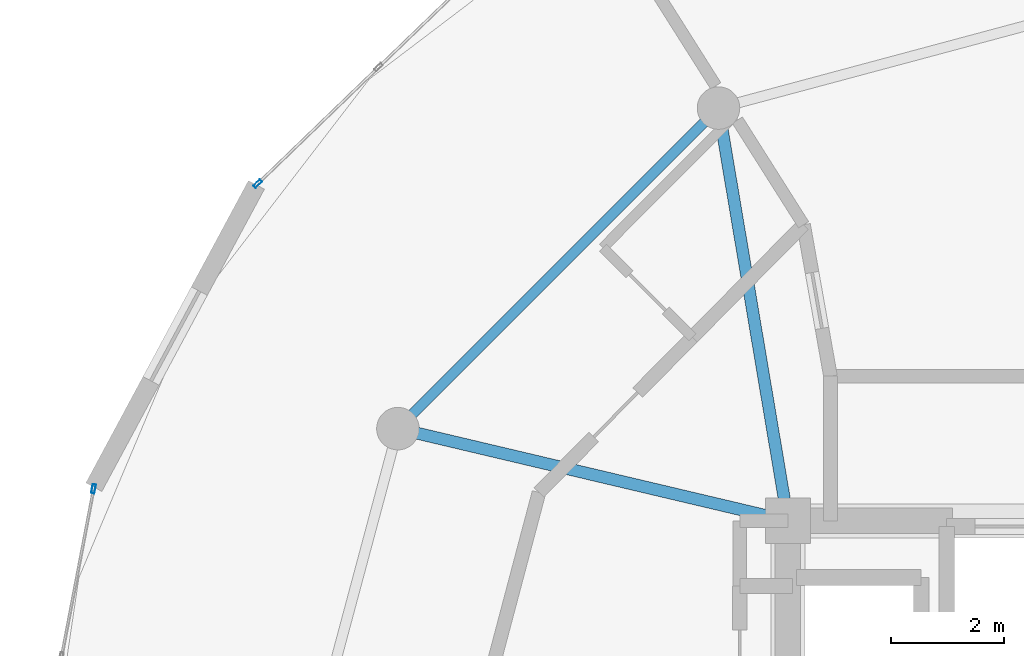
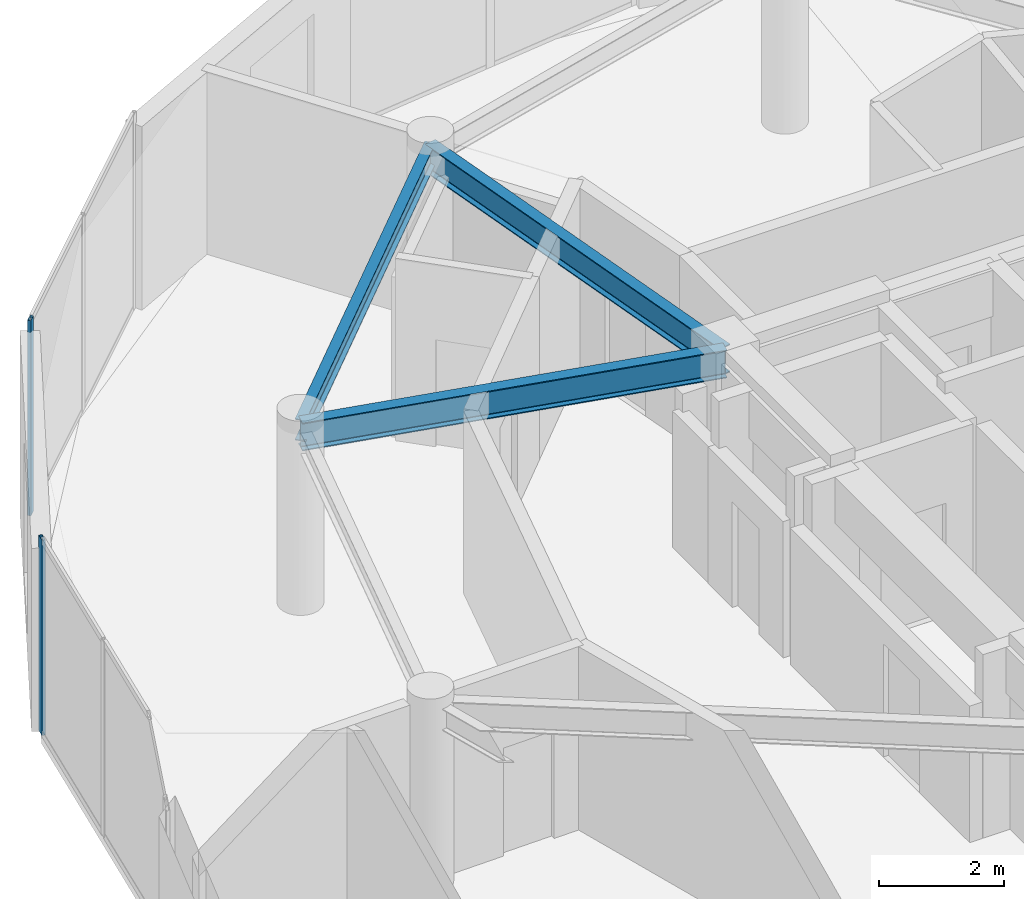
# One storey, part 9 of 23: 3 beams, 2 members, 2 elements without a shape of their own.
"""IFC4 building model written with IfcOpenShell, lengths in metres."""

from ifc_helpers import new_model, si_unit, direction, frame, origin, origin_2d, place, context, subcontext, project, spatial, hollow_rectangle, i_section, extrude, source, transform, mapped, material, layer, layer_set, material_profile, profile_set, type_object, element, aggregate, save


model = new_model("IFC4")

# Units and contexts
model_context = context("Model", 3, precision=1e-05, world=origin(), true_north=direction((0.0, 1.0)))
body_context = subcontext(model_context, "Body", "Model", "MODEL_VIEW")
ifc_project = project(units=[si_unit("LENGTHUNIT", "METRE"), si_unit("AREAUNIT", "SQUARE_METRE"), si_unit("VOLUMEUNIT", "CUBIC_METRE"), si_unit("PLANEANGLEUNIT", "RADIAN"), si_unit("MASSUNIT", "GRAM", prefix="KILO")], contexts=[model_context])

# Site, building, storey
site_placement = place(None, origin())
site = spatial("IfcSite", under=ifc_project, at=site_placement, CompositionType="ELEMENT")
building_placement = place(site_placement, origin())
building = spatial("IfcBuilding", under=site, at=building_placement, Name="Solvirekh Grand Hotel", CompositionType="ELEMENT")
storey_placement = place(building_placement, frame((0.0, 0.0, 285.800048828125)))
storey = spatial("IfcBuildingStorey", under=building, at=storey_placement, Name="L74", CompositionType="ELEMENT", Elevation=285.800048828125)

# Beams
ifc_material_1 = material(Name="Steel S355", Category="steel")
ifc_material_profile_1 = material_profile(ifc_material_1, i_section(OverallWidth=0.2119140625, OverallDepth=0.5439453125, WebThickness=0.011962890625, FlangeThickness=0.01904296875, FilletRadius=0.013916015625, at=origin_2d()), Name="W530X123")
ifc_profile_set_1 = profile_set([ifc_material_profile_1], Name="Steel S355")
beam_type_1 = type_object("IfcBeamType", Name="Beam_Radial_W530H", PredefinedType="BEAM", material=ifc_profile_set_1)
beam_1_placement = place(storey_placement, frame((-6.5, 6.10009765625, 3.2978515625), z_axis=(-0.165954049106, 0.986133486697, 0.0), x_axis=(-0.986133486697, -0.165954049106, 0.0)))
element("IfcBeam", 1, at=beam_1_placement, inside=storey, type_object=beam_type_1, Name="L74 radial floor beam R05", PredefinedType="BEAM", context=body_context, shape_type="SweptSolid", body=[
    extrude(i_section(OverallWidth=0.2119140625, OverallDepth=0.5439453125, WebThickness=0.011962890625, FlangeThickness=0.01904296875, FilletRadius=0.013916015625, at=origin_2d()), origin(), (0.0, 0.0, 1.0), 7.382080078125),
])
beam_2_placement = place(storey_placement, frame((-6.5, 6.10009765625, 3.2978515625), z_axis=(-0.973221147544, 0.229870828888, 0.0), x_axis=(-0.229870828888, -0.973221147544, 0.0)))
element("IfcBeam", 2, at=beam_2_placement, inside=storey, type_object=beam_type_1, Name="L74 radial floor beam R06", PredefinedType="BEAM", context=body_context, shape_type="SweptSolid", body=[
    extrude(i_section(OverallWidth=0.2119140625, OverallDepth=0.5439453125, WebThickness=0.011962890625, FlangeThickness=0.01904296875, FilletRadius=0.013916015625, at=origin_2d()), origin(), (0.0, 0.0, 1.0), 7.069091796875),
])
ifc_material_profile_2 = material_profile(ifc_material_1, i_section(OverallWidth=0.180908203125, OverallDepth=0.4169921875, WebThickness=0.010009765625, FlangeThickness=0.01611328125, FilletRadius=0.011962890625, at=origin_2d()), Name="W410X85")
ifc_profile_set_2 = profile_set([ifc_material_profile_2], Name="Steel S355")
beam_type_2 = type_object("IfcBeamType", Name="Spandrel_Ring_W410", PredefinedType="SPANDREL", material=ifc_profile_set_2)
beam_3_placement = place(storey_placement, frame((-7.72509765625, 13.3798828125, 3.36083984375), z_axis=(-0.707106781187, -0.707106781187, 0.0), x_axis=(0.707106781187, -0.707106781187, 0.0)))
element("IfcBeam", 3, at=beam_3_placement, inside=storey, type_object=beam_type_2, Name="L74 perimeter spandrel beam 5", PredefinedType="SPANDREL", context=body_context, shape_type="SweptSolid", body=[
    extrude(i_section(OverallWidth=0.180908203125, OverallDepth=0.4169921875, WebThickness=0.010009765625, FlangeThickness=0.01611328125, FilletRadius=0.011962890625, at=origin_2d()), origin(), (0.0, 0.0, 1.0), 7.9970703125),
])

# Curtain wall, member
ifc_material_2 = material(Name="Anodized Bronze Aluminium 6063-T6", Category="aluminium")
ifc_layer = layer(ifc_material_2, 0.159912109375)
ifc_layer_set = layer_set([ifc_layer], Name="Anodized Bronze Aluminium 6063-T6")
curtain_wall_type = type_object("IfcCurtainWallType", Name="CW_Sys4_HighZoneFlushBronzeCW", PredefinedType="NOTDEFINED", material=ifc_layer_set)
curtain_wall_1_placement = place(storey_placement, origin())
curtain_wall_1 = element("IfcCurtainWall", 4, at=curtain_wall_1_placement, inside=storey, type_object=curtain_wall_type, Name="L74 unitised bronze-glass curtain wall CW-L74-C13", PredefinedType="NOTDEFINED")
ifc_material_profile_3 = material_profile(ifc_material_2, hollow_rectangle(XDim=0.06005859375, YDim=0.159912109375, WallThickness=0.0048828125, at=origin_2d()), Name="ALU RHS 160X60X5")
ifc_profile_set_3 = profile_set([ifc_material_profile_3], Name="Anodized Bronze Aluminium 6063-T6")
member_type = type_object("IfcMemberType", Name="CWMullion_Sys4", PredefinedType="MULLION", material=ifc_profile_set_3)
shared_shape = source(origin(), body_context, "Body", "SweptSolid", [
    extrude(hollow_rectangle(XDim=0.06005859375, YDim=0.159912109375, WallThickness=0.0048828125, at=origin_2d()), origin(), (0.0, 0.0, 1.0), 3.800048828125),
])
member_1_placement = place(storey_placement, frame((-15.8544921875, 12.0458984375, 0.0), z_axis=(0.0, 0.0, 1.0), x_axis=(0.694293264644, -0.719692199951, 0.0)))
member_1 = element("IfcMember", 5, at=member_1_placement, type_object=member_type, Name="U04 mullion 3", PredefinedType="MULLION", context=body_context, shape_type="MappedRepresentation", body=[
    mapped(shared_shape, transform((0.0, 0.0, 0.0), x_axis=(1.0, 0.0, 0.0), y_axis=(0.0, 1.0, 0.0), z_axis=(0.0, 0.0, 1.0), scale=1.0)),
])
aggregate(curtain_wall_1, [member_1])

curtain_wall_2_placement = place(storey_placement, origin())
curtain_wall_2 = element("IfcCurtainWall", 6, at=curtain_wall_2_placement, inside=storey, type_object=curtain_wall_type, Name="L74 unitised bronze-glass curtain wall CW-L74-C15", PredefinedType="NOTDEFINED")
member_2_placement = place(storey_placement, frame((-18.74853515625, 6.66455078125, 0.0), z_axis=(0.0, 0.0, 1.0), x_axis=(0.982229265101, -0.187685030778, 0.0)))
member_2 = element("IfcMember", 7, at=member_2_placement, type_object=member_type, Name="U04 mullion 1", PredefinedType="MULLION", context=body_context, shape_type="MappedRepresentation", body=[
    mapped(shared_shape, transform((0.0, 0.0, 0.0), x_axis=(1.0, 0.0, 0.0), y_axis=(0.0, 1.0, 0.0), z_axis=(0.0, 0.0, 1.0), scale=1.0)),
])
aggregate(curtain_wall_2, [member_2])

save(model, "model.ifc")
